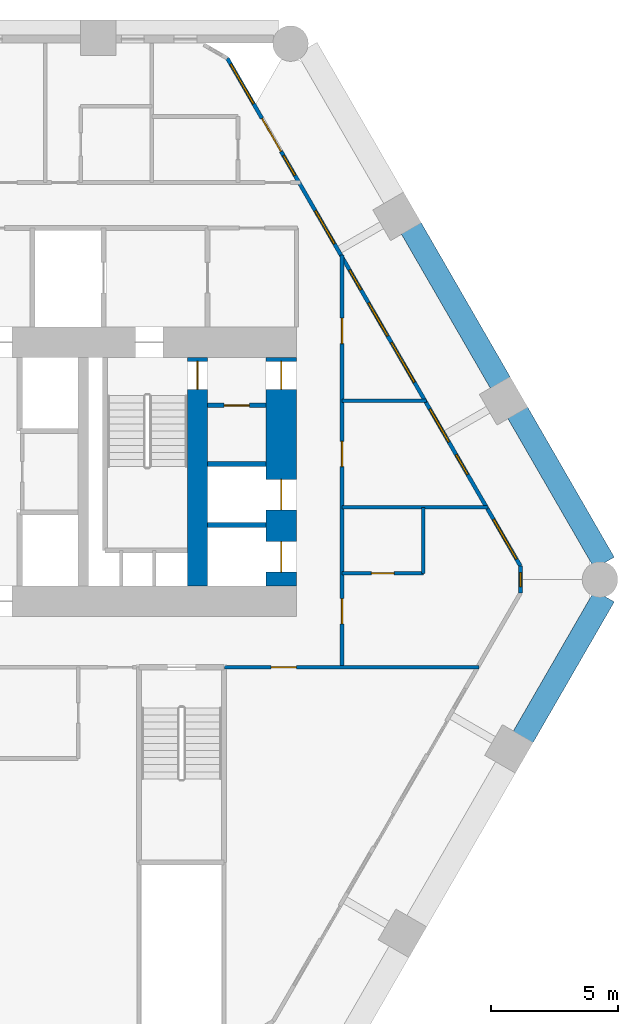
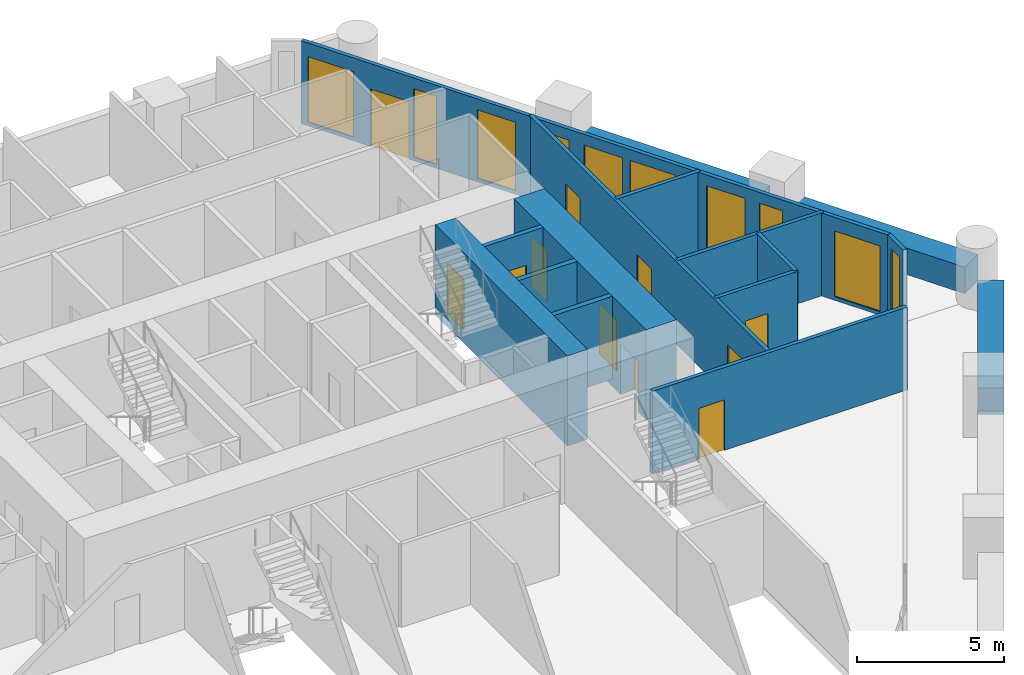
# One storey, part 5 of 8: 16 walls, 11 doors, 10 windows, 21 openings.
"""IFC4 building model written with IfcOpenShell, lengths in metres."""

from ifc_helpers import new_model, si_unit, direction, frame, frame_2d, origin, place, context, subcontext, project, spatial, rectangle, extrude, material, layer, layer_set, type_object, element, fill, save


model = new_model("IFC4")

# Units and contexts
model_context = context("Model", 3, precision=1e-05, world=origin(), true_north=direction((0.0, 1.0)))
body_context = subcontext(model_context, "Body", "Model", "MODEL_VIEW")
ifc_project = project(units=[si_unit("LENGTHUNIT", "METRE"), si_unit("AREAUNIT", "SQUARE_METRE"), si_unit("VOLUMEUNIT", "CUBIC_METRE"), si_unit("PLANEANGLEUNIT", "RADIAN"), si_unit("MASSUNIT", "GRAM", prefix="KILO")], contexts=[model_context])

# Site, building, storey
site_placement = place(None, origin())
site = spatial("IfcSite", under=ifc_project, at=site_placement, CompositionType="ELEMENT")
building_placement = place(site_placement, origin())
building = spatial("IfcBuilding", under=site, at=building_placement, Name="Ostrander Bayou Hotel Tower", CompositionType="ELEMENT")
storey_placement = place(building_placement, frame((0.0, 0.0, 39.25)))
storey = spatial("IfcBuildingStorey", under=building, at=storey_placement, Name="L09", CompositionType="ELEMENT", Elevation=39.25)

# Wall, openings, doors
ifc_material_1 = material(Name="Concrete f'c 70 MPa", Category="concrete")
ifc_layer_1 = layer(ifc_material_1, 1.199951171875)
ifc_layer_set_1 = layer_set([ifc_layer_1], Name="CW1 core wall 1200 mm f'c 70 MPa")
wall_type_1 = type_object("IfcWallType", Name="CW1 core wall 1200 mm f'c 70 MPa", PredefinedType="SHEAR", material=ifc_layer_set_1)
wall_1_placement = place(storey_placement, frame((11.39990234375, -0.5, -0.300048828125), z_axis=(0.0, 0.0, 1.0), x_axis=(0.0, 1.0, 0.0)))
wall_1 = element("IfcWall", 1, at=wall_1_placement, inside=storey, type_object=wall_type_1, Name="CW1 L09 RE", PredefinedType="SHEAR", context=body_context, shape_type="SweptSolid", body=[
    extrude(rectangle(XDim=9.0, YDim=1.199951171875, at=frame_2d((4.5, 0.0))), origin(), (0.0, 0.0, 1.0), 3.75),
])
opening_1_placement = place(wall_1_placement, frame((7.75, 0.0, 0.0)))
opening_1 = element("IfcOpeningElement", 2, at=opening_1_placement, cuts=wall_1, Name="Opening T09-021", PredefinedType="OPENING", context=body_context, shape_type="SweptSolid", body=[
    extrude(rectangle(XDim=1.10009765625, YDim=2.10009765625, at=frame_2d((0.550048828125, 1.050048828125))), frame((0.0, 0.60009765625, 0.0), z_axis=(0.0, -1.0, 0.0), x_axis=(1.0, 0.0, 0.0)), (0.0, 0.0, 1.0), 1.199951171875),
])
opening_2_placement = place(wall_1_placement, frame((0.550048828125, 0.0, 0.0)))
opening_2 = element("IfcOpeningElement", 3, at=opening_2_placement, cuts=wall_1, Name="Opening T09-022", PredefinedType="OPENING", context=body_context, shape_type="SweptSolid", body=[
    extrude(rectangle(XDim=1.199951171875, YDim=2.10009765625, at=frame_2d((0.60009765625, 1.050048828125))), frame((0.0, 0.60009765625, 0.0), z_axis=(0.0, -1.0, 0.0), x_axis=(1.0, 0.0, 0.0)), (0.0, 0.0, 1.0), 1.199951171875),
])
opening_3_placement = place(wall_1_placement, frame((3.0, 0.0, 0.0)))
opening_3 = element("IfcOpeningElement", 4, at=opening_3_placement, cuts=wall_1, Name="Opening T09-023", PredefinedType="OPENING", context=body_context, shape_type="SweptSolid", body=[
    extrude(rectangle(XDim=1.199951171875, YDim=2.10009765625, at=frame_2d((0.60009765625, 1.050048828125))), frame((0.0, 0.60009765625, 0.0), z_axis=(0.0, -1.0, 0.0), x_axis=(1.0, 0.0, 0.0)), (0.0, 0.0, 1.0), 1.199951171875),
])
ifc_material_2 = material(Name="Timber door leaf", Category="wood")
door_type_1 = type_object("IfcDoorType", Name="D5 stair door 1100 x 2100 mm, 90 minute", OperationType="SINGLE_SWING_LEFT", PredefinedType="DOOR", material=ifc_material_2)
door_1_placement = place(opening_1_placement, origin())
door_1 = element("IfcDoor", 5, at=door_1_placement, inside=storey, type_object=door_type_1, Name="dr:L09:021", OperationType="SINGLE_SWING_RIGHT", OverallHeight=2.10009765625, OverallWidth=1.10009765625, PredefinedType="DOOR", context=body_context, shape_type="SweptSolid", body=[
    extrude(rectangle(XDim=1.10009765625, YDim=2.10009765625, at=frame_2d((0.550048828125, 1.050048828125))), frame((0.0, 0.02490234375, 0.0), z_axis=(0.0, -1.0, 0.0), x_axis=(1.0, 0.0, 0.0)), (0.0, 0.0, 1.0), 0.050048828125),
])
fill(opening_1, door_1)
ifc_material_3 = material(Name="Stainless steel sliding door", Category="steel")
door_type_2 = type_object("IfcDoorType", Name="LD1 lift landing door 1200 x 2100 mm", OperationType="SINGLE_SWING_LEFT", PredefinedType="DOOR", material=ifc_material_3)
door_2_placement = place(opening_2_placement, origin())
door_2 = element("IfcDoor", 6, at=door_2_placement, inside=storey, type_object=door_type_2, Name="dr:L09:022", OperationType="SLIDING_TO_LEFT", OverallHeight=2.10009765625, OverallWidth=1.199951171875, PredefinedType="DOOR", context=body_context, shape_type="SweptSolid", body=[
    extrude(rectangle(XDim=1.199951171875, YDim=2.10009765625, at=frame_2d((0.60009765625, 1.050048828125))), frame((0.0, 0.02490234375, 0.0), z_axis=(0.0, -1.0, 0.0), x_axis=(1.0, 0.0, 0.0)), (0.0, 0.0, 1.0), 0.050048828125),
])
fill(opening_2, door_2)
door_3_placement = place(opening_3_placement, origin())
door_3 = element("IfcDoor", 7, at=door_3_placement, inside=storey, type_object=door_type_2, Name="dr:L09:023", OperationType="SLIDING_TO_LEFT", OverallHeight=2.10009765625, OverallWidth=1.199951171875, PredefinedType="DOOR", context=body_context, shape_type="SweptSolid", body=[
    extrude(rectangle(XDim=1.199951171875, YDim=2.10009765625, at=frame_2d((0.60009765625, 1.050048828125))), frame((0.0, 0.02490234375, 0.0), z_axis=(0.0, -1.0, 0.0), x_axis=(1.0, 0.0, 0.0)), (0.0, 0.0, 1.0), 0.050048828125),
])
fill(opening_3, door_3)

# Wall, opening, door
ifc_material_4 = material(Name="Concrete f'c 70 MPa", Category="concrete")
ifc_layer_2 = layer(ifc_material_4, 0.800048828125)
ifc_layer_set_2 = layer_set([ifc_layer_2], Name="CW2 core spine wall 800 mm f'c 70 MPa")
wall_type_2 = type_object("IfcWallType", Name="CW2 core spine wall 800 mm f'c 70 MPa", PredefinedType="SHEAR", material=ifc_layer_set_2)
wall_2_placement = place(storey_placement, frame((8.10009765625, -0.5, -0.300048828125), z_axis=(0.0, 0.0, 1.0), x_axis=(0.0, 1.0, 0.0)))
wall_2 = element("IfcWall", 8, at=wall_2_placement, inside=storey, type_object=wall_type_2, Name="CW2 L09 E", PredefinedType="SHEAR", context=body_context, shape_type="SweptSolid", body=[
    extrude(rectangle(XDim=9.0, YDim=0.800048828125, at=frame_2d((4.5, 0.0))), origin(), (0.0, 0.0, 1.0), 3.75),
])
opening_4_placement = place(wall_2_placement, frame((7.75, 0.0, 0.0)))
opening_4 = element("IfcOpeningElement", 9, at=opening_4_placement, cuts=wall_2, Name="Opening T09-006", PredefinedType="OPENING", context=body_context, shape_type="SweptSolid", body=[
    extrude(rectangle(XDim=1.10009765625, YDim=2.10009765625, at=frame_2d((0.550048828125, 1.050048828125))), frame((0.0, 0.39990234375, 0.0), z_axis=(0.0, -1.0, 0.0), x_axis=(1.0, 0.0, 0.0)), (0.0, 0.0, 1.0), 0.800048828125),
])
door_4_placement = place(opening_4_placement, origin())
door_4 = element("IfcDoor", 10, at=door_4_placement, inside=storey, type_object=door_type_1, Name="dr:L09:006", OperationType="SINGLE_SWING_LEFT", OverallHeight=2.10009765625, OverallWidth=1.10009765625, PredefinedType="DOOR", context=body_context, shape_type="SweptSolid", body=[
    extrude(rectangle(XDim=1.10009765625, YDim=2.10009765625, at=frame_2d((0.550048828125, 1.050048828125))), frame((0.0, 0.02490234375, 0.0), z_axis=(0.0, -1.0, 0.0), x_axis=(1.0, 0.0, 0.0)), (0.0, 0.0, 1.0), 0.050048828125),
])
fill(opening_4, door_4)

# Wall, openings, door, windows
ifc_material_5 = material(Name="Aluminium framed insulated wall", Category="aluminium")
ifc_layer_3 = layer(ifc_material_5, 0.14990234375)
ifc_layer_set_3 = layer_set([ifc_layer_3], Name="GW1 glass-line wall 150 mm")
wall_type_3 = type_object("IfcWallType", Name="GW1 glass-line wall 150 mm", PredefinedType="SOLIDWALL", material=ifc_layer_set_3)
wall_3_placement = place(storey_placement, frame((20.826171875, 0.287109375, 0.0), z_axis=(0.0, 0.0, 1.0), x_axis=(-0.500006057782, 0.866021906294, 0.0)))
wall_3 = element("IfcWall", 11, at=wall_3_placement, inside=storey, type_object=wall_type_3, Name="GW1 L09 NE 1", PredefinedType="SOLIDWALL", context=body_context, shape_type="SweptSolid", body=[
    extrude(rectangle(XDim=23.100341796875, YDim=0.14990234375, at=frame_2d((11.55029296875, 0.0))), origin(), (0.0, 0.0, 1.0), 3.449951171875),
])
opening_5_placement = place(wall_3_placement, frame((4.16455078125, 0.0, 0.14990234375)))
opening_5 = element("IfcOpeningElement", 12, at=opening_5_placement, cuts=wall_3, Name="Opening W15", PredefinedType="OPENING", context=body_context, shape_type="SweptSolid", body=[
    extrude(rectangle(XDim=0.89990234375, YDim=2.85009765625, at=frame_2d((0.449951171875, 1.425048828125))), frame((0.0, 0.074951171875, 0.0), z_axis=(0.0, -1.0, 0.0), x_axis=(1.0, 0.0, 0.0)), (0.0, 0.0, 1.0), 0.14990234375),
])
opening_6_placement = place(wall_3_placement, frame((5.64453125, 0.0, 0.14990234375)))
opening_6 = element("IfcOpeningElement", 13, at=opening_6_placement, cuts=wall_3, Name="Opening W11", PredefinedType="OPENING", context=body_context, shape_type="SweptSolid", body=[
    extrude(rectangle(XDim=1.5, YDim=2.85009765625, at=frame_2d((0.75, 1.425048828125))), frame((0.0, 0.074951171875, 0.0), z_axis=(0.0, -1.0, 0.0), x_axis=(1.0, 0.0, 0.0)), (0.0, 0.0, 1.0), 0.14990234375),
])
opening_7_placement = place(wall_3_placement, frame((8.364501953125, 0.0, 0.14990234375)))
opening_7 = element("IfcOpeningElement", 14, at=opening_7_placement, cuts=wall_3, Name="Opening W1", PredefinedType="OPENING", context=body_context, shape_type="SweptSolid", body=[
    extrude(rectangle(XDim=1.800048828125, YDim=2.85009765625, at=frame_2d((0.89990234375, 1.425048828125))), frame((0.0, 0.074951171875, 0.0), z_axis=(0.0, -1.0, 0.0), x_axis=(1.0, 0.0, 0.0)), (0.0, 0.0, 1.0), 0.14990234375),
])
opening_8_placement = place(wall_3_placement, frame((10.464599609375, 0.0, 0.14990234375)))
opening_8 = element("IfcOpeningElement", 15, at=opening_8_placement, cuts=wall_3, Name="Opening W11", PredefinedType="OPENING", context=body_context, shape_type="SweptSolid", body=[
    extrude(rectangle(XDim=1.5, YDim=2.85009765625, at=frame_2d((0.75, 1.425048828125))), frame((0.0, 0.074951171875, 0.0), z_axis=(0.0, -1.0, 0.0), x_axis=(1.0, 0.0, 0.0)), (0.0, 0.0, 1.0), 0.14990234375),
])
opening_9_placement = place(wall_3_placement, frame((12.564453125, 0.0, 0.14990234375)))
opening_9 = element("IfcOpeningElement", 16, at=opening_9_placement, cuts=wall_3, Name="Opening W15", PredefinedType="OPENING", context=body_context, shape_type="SweptSolid", body=[
    extrude(rectangle(XDim=0.89990234375, YDim=2.85009765625, at=frame_2d((0.449951171875, 1.425048828125))), frame((0.0, 0.074951171875, 0.0), z_axis=(0.0, -1.0, 0.0), x_axis=(1.0, 0.0, 0.0)), (0.0, 0.0, 1.0), 0.14990234375),
])
opening_10_placement = place(wall_3_placement, frame((14.66455078125, 0.0, 0.14990234375)))
opening_10 = element("IfcOpeningElement", 17, at=opening_10_placement, cuts=wall_3, Name="Opening W11", PredefinedType="OPENING", context=body_context, shape_type="SweptSolid", body=[
    extrude(rectangle(XDim=1.5, YDim=2.85009765625, at=frame_2d((0.75, 1.425048828125))), frame((0.0, 0.074951171875, 0.0), z_axis=(0.0, -1.0, 0.0), x_axis=(1.0, 0.0, 0.0)), (0.0, 0.0, 1.0), 0.14990234375),
])
opening_11_placement = place(wall_3_placement, frame((17.77490234375, 0.0, 0.14990234375)))
opening_11 = element("IfcOpeningElement", 18, at=opening_11_placement, cuts=wall_3, Name="Opening W15", PredefinedType="OPENING", context=body_context, shape_type="SweptSolid", body=[
    extrude(rectangle(XDim=0.89990234375, YDim=2.85009765625, at=frame_2d((0.449951171875, 1.425048828125))), frame((0.0, 0.074951171875, 0.0), z_axis=(0.0, -1.0, 0.0), x_axis=(1.0, 0.0, 0.0)), (0.0, 0.0, 1.0), 0.14990234375),
])
opening_12_placement = place(wall_3_placement, frame((18.864501953125, 0.0, 0.0)))
opening_12 = element("IfcOpeningElement", 19, at=opening_12_placement, cuts=wall_3, Name="Opening T09-808", PredefinedType="OPENING", context=body_context, shape_type="SweptSolid", body=[
    extrude(rectangle(XDim=1.5, YDim=2.39990234375, at=frame_2d((0.75, 1.199951171875))), frame((0.0, 0.074951171875, 0.0), z_axis=(0.0, -1.0, 0.0), x_axis=(1.0, 0.0, 0.0)), (0.0, 0.0, 1.0), 0.14990234375),
])
opening_13_placement = place(wall_3_placement, frame((0.322265625, 0.0, 0.14990234375)))
opening_13 = element("IfcOpeningElement", 20, at=opening_13_placement, cuts=wall_3, Name="Opening W1", PredefinedType="OPENING", context=body_context, shape_type="SweptSolid", body=[
    extrude(rectangle(XDim=1.800048828125, YDim=2.72998046875, at=frame_2d((0.89990234375, 1.364990234375))), frame((0.0, 0.074951171875, 0.0), z_axis=(0.0, -1.0, 0.0), x_axis=(1.0, 0.0, 0.0)), (0.0, 0.0, 1.0), 0.14990234375),
])
opening_14_placement = place(wall_3_placement, frame((21.032470703125, 0.0, 0.14990234375)))
opening_14 = element("IfcOpeningElement", 21, at=opening_14_placement, cuts=wall_3, Name="Opening W1", PredefinedType="OPENING", context=body_context, shape_type="SweptSolid", body=[
    extrude(rectangle(XDim=1.800048828125, YDim=2.72998046875, at=frame_2d((0.89990234375, 1.364990234375))), frame((0.0, 0.074951171875, 0.0), z_axis=(0.0, -1.0, 0.0), x_axis=(1.0, 0.0, 0.0)), (0.0, 0.0, 1.0), 0.14990234375),
])
ifc_material_6 = material(Name="Aluminium and clear glass", Category="aluminium")
door_type_3 = type_object("IfcDoorType", Name="SD1 sliding glass door 1500 mm, zone 1", OperationType="SLIDING_TO_LEFT", PredefinedType="DOOR", material=ifc_material_6)
door_5_placement = place(opening_12_placement, origin())
door_5 = element("IfcDoor", 22, at=door_5_placement, inside=storey, type_object=door_type_3, Name="SD1 L09 NE 5", OperationType="SLIDING_TO_LEFT", OverallHeight=2.39990234375, OverallWidth=1.5, PredefinedType="DOOR", context=body_context, shape_type="SweptSolid", body=[
    extrude(rectangle(XDim=1.5, YDim=2.39990234375, at=frame_2d((0.75, 1.199951171875))), frame((0.0, 0.02490234375, 0.0), z_axis=(0.0, -1.0, 0.0), x_axis=(1.0, 0.0, 0.0)), (0.0, 0.0, 1.0), 0.050048828125),
])
fill(opening_12, door_5)
ifc_material_7 = material(Name="Aluminium and clear glass", Category="aluminium")
window_type_1 = type_object("IfcWindowType", Name="W1 fixed window 1800 mm, zone 1", PartitioningType="SINGLE_PANEL", PredefinedType="WINDOW", material=ifc_material_7)
window_1_placement = place(opening_7_placement, origin())
window_1 = element("IfcWindow", 23, at=window_1_placement, inside=storey, type_object=window_type_1, Name="W1 L09 NE 3", OverallHeight=2.85009765625, OverallWidth=1.800048828125, PartitioningType="SINGLE_PANEL", PredefinedType="WINDOW", context=body_context, shape_type="SweptSolid", body=[
    extrude(rectangle(XDim=1.800048828125, YDim=2.85009765625, at=frame_2d((0.89990234375, 1.425048828125))), frame((0.0, 0.030029296875, 0.0), z_axis=(0.0, -1.0, 0.0), x_axis=(1.0, 0.0, 0.0)), (0.0, 0.0, 1.0), 0.06005859375),
])
fill(opening_7, window_1)
window_2_placement = place(opening_13_placement, origin())
window_2 = element("IfcWindow", 24, at=window_2_placement, inside=storey, type_object=window_type_1, Name="W1 L09 NE E11", OverallHeight=2.72998046875, OverallWidth=1.800048828125, PartitioningType="SINGLE_PANEL", PredefinedType="WINDOW", context=body_context, shape_type="SweptSolid", body=[
    extrude(rectangle(XDim=1.800048828125, YDim=2.72998046875, at=frame_2d((0.89990234375, 1.364990234375))), frame((0.0, 0.030029296875, 0.0), z_axis=(0.0, -1.0, 0.0), x_axis=(1.0, 0.0, 0.0)), (0.0, 0.0, 1.0), 0.06005859375),
])
fill(opening_13, window_2)
window_3_placement = place(opening_14_placement, origin())
window_3 = element("IfcWindow", 25, at=window_3_placement, inside=storey, type_object=window_type_1, Name="W1 L09 NE E21", OverallHeight=2.72998046875, OverallWidth=1.800048828125, PartitioningType="SINGLE_PANEL", PredefinedType="WINDOW", context=body_context, shape_type="SweptSolid", body=[
    extrude(rectangle(XDim=1.800048828125, YDim=2.72998046875, at=frame_2d((0.89990234375, 1.364990234375))), frame((0.0, 0.030029296875, 0.0), z_axis=(0.0, -1.0, 0.0), x_axis=(1.0, 0.0, 0.0)), (0.0, 0.0, 1.0), 0.06005859375),
])
fill(opening_14, window_3)
ifc_material_8 = material(Name="Aluminium and clear glass", Category="aluminium")
window_type_2 = type_object("IfcWindowType", Name="W11 fixed window 1500 mm, bath bay, zone 1", PartitioningType="SINGLE_PANEL", PredefinedType="WINDOW", material=ifc_material_8)
window_4_placement = place(opening_6_placement, origin())
window_4 = element("IfcWindow", 26, at=window_4_placement, inside=storey, type_object=window_type_2, Name="W11 L09 NE 2", OverallHeight=2.85009765625, OverallWidth=1.5, PartitioningType="SINGLE_PANEL", PredefinedType="WINDOW", context=body_context, shape_type="SweptSolid", body=[
    extrude(rectangle(XDim=1.5, YDim=2.85009765625, at=frame_2d((0.75, 1.425048828125))), frame((0.0, 0.030029296875, 0.0), z_axis=(0.0, -1.0, 0.0), x_axis=(1.0, 0.0, 0.0)), (0.0, 0.0, 1.0), 0.06005859375),
])
fill(opening_6, window_4)
window_5_placement = place(opening_8_placement, origin())
window_5 = element("IfcWindow", 27, at=window_5_placement, inside=storey, type_object=window_type_2, Name="W11 L09 NE 3", OverallHeight=2.85009765625, OverallWidth=1.5, PartitioningType="SINGLE_PANEL", PredefinedType="WINDOW", context=body_context, shape_type="SweptSolid", body=[
    extrude(rectangle(XDim=1.5, YDim=2.85009765625, at=frame_2d((0.75, 1.425048828125))), frame((0.0, 0.030029296875, 0.0), z_axis=(0.0, -1.0, 0.0), x_axis=(1.0, 0.0, 0.0)), (0.0, 0.0, 1.0), 0.06005859375),
])
fill(opening_8, window_5)
window_6_placement = place(opening_10_placement, origin())
window_6 = element("IfcWindow", 28, at=window_6_placement, inside=storey, type_object=window_type_2, Name="W11 L09 NE 4", OverallHeight=2.85009765625, OverallWidth=1.5, PartitioningType="SINGLE_PANEL", PredefinedType="WINDOW", context=body_context, shape_type="SweptSolid", body=[
    extrude(rectangle(XDim=1.5, YDim=2.85009765625, at=frame_2d((0.75, 1.425048828125))), frame((0.0, 0.030029296875, 0.0), z_axis=(0.0, -1.0, 0.0), x_axis=(1.0, 0.0, 0.0)), (0.0, 0.0, 1.0), 0.06005859375),
])
fill(opening_10, window_6)
ifc_material_9 = material(Name="Aluminium and clear glass", Category="aluminium")
window_type_3 = type_object("IfcWindowType", Name="W15 window 900 mm, zone 1", PartitioningType="SINGLE_PANEL", PredefinedType="WINDOW", material=ifc_material_9)
window_7_placement = place(opening_5_placement, origin())
window_7 = element("IfcWindow", 29, at=window_7_placement, inside=storey, type_object=window_type_3, Name="W15 L09 NE 2", OverallHeight=2.85009765625, OverallWidth=0.89990234375, PartitioningType="SINGLE_PANEL", PredefinedType="WINDOW", context=body_context, shape_type="SweptSolid", body=[
    extrude(rectangle(XDim=0.89990234375, YDim=2.85009765625, at=frame_2d((0.449951171875, 1.425048828125))), frame((0.0, 0.030029296875, 0.0), z_axis=(0.0, -1.0, 0.0), x_axis=(1.0, 0.0, 0.0)), (0.0, 0.0, 1.0), 0.06005859375),
])
fill(opening_5, window_7)
window_8_placement = place(opening_9_placement, origin())
window_8 = element("IfcWindow", 30, at=window_8_placement, inside=storey, type_object=window_type_3, Name="W15 L09 NE 4", OverallHeight=2.85009765625, OverallWidth=0.89990234375, PartitioningType="SINGLE_PANEL", PredefinedType="WINDOW", context=body_context, shape_type="SweptSolid", body=[
    extrude(rectangle(XDim=0.89990234375, YDim=2.85009765625, at=frame_2d((0.449951171875, 1.425048828125))), frame((0.0, 0.030029296875, 0.0), z_axis=(0.0, -1.0, 0.0), x_axis=(1.0, 0.0, 0.0)), (0.0, 0.0, 1.0), 0.06005859375),
])
fill(opening_9, window_8)
window_9_placement = place(opening_11_placement, origin())
window_9 = element("IfcWindow", 31, at=window_9_placement, inside=storey, type_object=window_type_3, Name="W15 L09 NE 5", OverallHeight=2.85009765625, OverallWidth=0.89990234375, PartitioningType="SINGLE_PANEL", PredefinedType="WINDOW", context=body_context, shape_type="SweptSolid", body=[
    extrude(rectangle(XDim=0.89990234375, YDim=2.85009765625, at=frame_2d((0.449951171875, 1.425048828125))), frame((0.0, 0.030029296875, 0.0), z_axis=(0.0, -1.0, 0.0), x_axis=(1.0, 0.0, 0.0)), (0.0, 0.0, 1.0), 0.06005859375),
])
fill(opening_11, window_9)

# Wall, opening, window
wall_4_placement = place(storey_placement, frame((20.826171875, -0.778076171875, 0.0), z_axis=(0.0, 0.0, 1.0), x_axis=(0.0, 1.0, 0.0)))
wall_4 = element("IfcWall", 32, at=wall_4_placement, inside=storey, type_object=wall_type_3, Name="GW1 L09 corner 5", PredefinedType="SOLIDWALL", context=body_context, shape_type="SweptSolid", body=[
    extrude(rectangle(XDim=1.065185546875, YDim=0.14990234375, at=frame_2d((0.53271484375, 0.0))), origin(), (0.0, 0.0, 1.0), 3.449951171875),
])
opening_15_placement = place(wall_4_placement, frame((0.257568359375, 0.0, 0.14990234375)))
opening_15 = element("IfcOpeningElement", 33, at=opening_15_placement, cuts=wall_4, Name="Opening W19", PredefinedType="OPENING", context=body_context, shape_type="SweptSolid", body=[
    extrude(rectangle(XDim=0.550048828125, YDim=2.85009765625, at=frame_2d((0.27490234375, 1.425048828125))), frame((0.0, 0.074951171875, 0.0), z_axis=(0.0, -1.0, 0.0), x_axis=(1.0, 0.0, 0.0)), (0.0, 0.0, 1.0), 0.14990234375),
])
ifc_material_10 = material(Name="Aluminium and clear glass", Category="aluminium")
window_type_4 = type_object("IfcWindowType", Name="W19 corner window 550 mm", PartitioningType="SINGLE_PANEL", PredefinedType="WINDOW", material=ifc_material_10)
window_10_placement = place(opening_15_placement, origin())
window_10 = element("IfcWindow", 34, at=window_10_placement, inside=storey, type_object=window_type_4, Name="W19 L09 corner 5", OverallHeight=2.85009765625, OverallWidth=0.550048828125, PartitioningType="SINGLE_PANEL", PredefinedType="WINDOW", context=body_context, shape_type="SweptSolid", body=[
    extrude(rectangle(XDim=0.550048828125, YDim=2.85009765625, at=frame_2d((0.27490234375, 1.425048828125))), frame((0.0, 0.030029296875, 0.0), z_axis=(0.0, -1.0, 0.0), x_axis=(1.0, 0.0, 0.0)), (0.0, 0.0, 1.0), 0.06005859375),
])
fill(opening_15, window_10)

# Walls
ifc_material_11 = material(Name="Concrete f'c 40 MPa", Category="concrete")
ifc_layer_4 = layer(ifc_material_11, 0.89990234375)
ifc_layer_set_4 = layer_set([ifc_layer_4], Name="PA1 stone-faced parapet 900 mm")
wall_type_4 = type_object("IfcWallType", Name="PA1 stone-faced parapet 900 mm", PredefinedType="PARAPET", material=ifc_layer_set_4)
wall_5_placement = place(storey_placement, frame((24.13232421875, 0.410400390625, 0.0), z_axis=(0.0, 0.0, 1.0), x_axis=(-0.499994135611, 0.866028789565, 0.0)))
element("IfcWall", 35, at=wall_5_placement, inside=storey, type_object=wall_type_4, Name="PA1 L09 NE-1", PredefinedType="PARAPET", context=body_context, shape_type="SweptSolid", body=[
    extrude(rectangle(XDim=6.84521484375, YDim=0.89990234375, at=frame_2d((3.422607421875, 0.0))), origin(), (0.0, 0.0, 1.0), 1.10009765625),
])
wall_6_placement = place(storey_placement, frame((20.039794921875, 7.499267578125, 0.0), z_axis=(0.0, 0.0, 1.0), x_axis=(-0.499997206141, 0.866027016814, 0.0)))
element("IfcWall", 36, at=wall_6_placement, inside=storey, type_object=wall_type_4, Name="PA1 L09 NE-2", PredefinedType="PARAPET", context=body_context, shape_type="SweptSolid", body=[
    extrude(rectangle(XDim=7.05078125, YDim=0.89990234375, at=frame_2d((3.525390625, 0.0))), origin(), (0.0, 0.0, 1.0), 1.10009765625),
])
ifc_material_12 = material(Name="Limestone masonry", Category="masonry")
ifc_layer_5 = layer(ifc_material_12, 0.89990234375)
ifc_layer_set_5 = layer_set([ifc_layer_5], Name="PA2 limestone parapet 900 mm")
wall_type_5 = type_object("IfcWallType", Name="PA2 limestone parapet 900 mm", PredefinedType="PARAPET", material=ifc_layer_set_5)
wall_7_placement = place(storey_placement, frame((20.92236328125, -6.46142578125, 0.0), z_axis=(0.0, 0.0, 1.0), x_axis=(0.499983599745, 0.866034872269, 0.0)))
element("IfcWall", 37, at=wall_7_placement, inside=storey, type_object=wall_type_5, Name="PA2 L09 SE-3", PredefinedType="PARAPET", context=body_context, shape_type="SweptSolid", body=[
    extrude(rectangle(XDim=6.420166015625, YDim=0.89990234375, at=frame_2d((3.2099609375, 0.0))), origin(), (0.0, 0.0, 1.0), 1.10009765625),
])

# Wall, opening, door
ifc_material_13 = material(Name="Gypsum board partition", Category="finish")
ifc_layer_6 = layer(ifc_material_13, 0.175048828125)
ifc_layer_set_6 = layer_set([ifc_layer_6], Name="PT4 corridor wall 175 mm, 1 hour")
wall_type_6 = type_object("IfcWallType", Name="PT4 corridor wall 175 mm, 1 hour", PredefinedType="PARTITIONING", material=ifc_layer_set_6)
wall_8_placement = place(storey_placement, frame((8.5, 6.614013671875, 0.0), z_axis=(0.0, 0.0, 1.0), x_axis=(1.0, 0.0, 0.0)))
wall_8 = element("IfcWall", 38, at=wall_8_placement, inside=storey, type_object=wall_type_6, Name="cs:L09:041", PredefinedType="PARTITIONING", context=body_context, shape_type="SweptSolid", body=[
    extrude(rectangle(XDim=2.300048828125, YDim=0.175048828125, at=frame_2d((1.14990234375, 0.0))), origin(), (0.0, 0.0, 1.0), 3.449951171875),
])
opening_16_placement = place(wall_8_placement, frame((0.64990234375, 0.0, 0.0)))
opening_16 = element("IfcOpeningElement", 39, at=opening_16_placement, cuts=wall_8, Name="Opening T09-020", PredefinedType="OPENING", context=body_context, shape_type="SweptSolid", body=[
    extrude(rectangle(XDim=1.0, YDim=2.10009765625, at=frame_2d((0.5, 1.050048828125))), frame((0.0, 0.08740234375, 0.0), z_axis=(0.0, -1.0, 0.0), x_axis=(1.0, 0.0, 0.0)), (0.0, 0.0, 1.0), 0.175048828125),
])
ifc_material_14 = material(Name="Timber door leaf", Category="wood")
door_type_4 = type_object("IfcDoorType", Name="D4 corridor door 1000 x 2100 mm, 1 hour", OperationType="SINGLE_SWING_LEFT", PredefinedType="DOOR", material=ifc_material_14)
door_6_placement = place(opening_16_placement, origin())
door_6 = element("IfcDoor", 40, at=door_6_placement, inside=storey, type_object=door_type_4, Name="dr:L09:020", OperationType="SINGLE_SWING_RIGHT", OverallHeight=2.10009765625, OverallWidth=1.0, PredefinedType="DOOR", context=body_context, shape_type="SweptSolid", body=[
    extrude(rectangle(XDim=1.0, YDim=2.10009765625, at=frame_2d((0.5, 1.050048828125))), frame((0.0, 0.02490234375, 0.0), z_axis=(0.0, -1.0, 0.0), x_axis=(1.0, 0.0, 0.0)), (0.0, 0.0, 1.0), 0.050048828125),
])
fill(opening_16, door_6)

# Walls
ifc_material_15 = material(Name="Masonry block", Category="masonry")
ifc_layer_7 = layer(ifc_material_15, 0.199951171875)
ifc_layer_set_7 = layer_set([ifc_layer_7], Name="PT6 lift shaft wall 200 mm masonry, 2 hour")
wall_type_7 = type_object("IfcWallType", Name="PT6 lift shaft wall 200 mm masonry, 2 hour", PredefinedType="PARTITIONING", material=ifc_layer_set_7)
for number, where, z_axis, x_axis, name in (
    (41, (8.5, 1.89990234375, 0.0), (0.0, 0.0, 1.0), (1.0, 0.0, 0.0), "cs:L09:039"),
    (42, (8.5, 4.300048828125, 0.0), (0.0, 0.0, 1.0), (1.0, 0.0, 0.0), "cs:L09:040"),
):
    element("IfcWall", number, at=place(storey_placement, frame(where, z_axis=z_axis, x_axis=x_axis)), inside=storey, type_object=wall_type_7, Name=name, PredefinedType="PARTITIONING", context=body_context, shape_type="SweptSolid", body=[
        extrude(rectangle(XDim=2.300048828125, YDim=0.199951171875, at=frame_2d((1.14990234375, 0.0))), origin(), (0.0, 0.0, 1.0), 3.449951171875),
    ])

# Wall, opening, door
ifc_material_16 = material(Name="Gypsum board partition", Category="finish")
ifc_layer_8 = layer(ifc_material_16, 0.14990234375)
ifc_layer_set_8 = layer_set([ifc_layer_8], Name="PT8 service band wall 150 mm, 1 hour")
wall_type_8 = type_object("IfcWallType", Name="PT8 service band wall 150 mm, 1 hour", PredefinedType="PARTITIONING", material=ifc_layer_set_8)
wall_9_placement = place(storey_placement, frame((9.159912109375, -3.699951171875, 0.0), z_axis=(0.0, 0.0, 1.0), x_axis=(1.0, 0.0, 0.0)))
wall_9 = element("IfcWall", 43, at=wall_9_placement, inside=storey, type_object=wall_type_8, Name="gw:L09:004", PredefinedType="PARTITIONING", context=body_context, shape_type="SweptSolid", body=[
    extrude(rectangle(XDim=10.031005859375, YDim=0.14990234375, at=frame_2d((5.015625, 0.0))), origin(), (0.0, 0.0, 1.0), 3.449951171875),
])
opening_17_placement = place(wall_9_placement, frame((1.840087890625, 0.0, 0.0)))
opening_17 = element("IfcOpeningElement", 44, at=opening_17_placement, cuts=wall_9, Name="Opening T09-406", PredefinedType="OPENING", context=body_context, shape_type="SweptSolid", body=[
    extrude(rectangle(XDim=1.0, YDim=2.10009765625, at=frame_2d((0.5, 1.050048828125))), frame((0.0, 0.074951171875, 0.0), z_axis=(0.0, -1.0, 0.0), x_axis=(1.0, 0.0, 0.0)), (0.0, 0.0, 1.0), 0.14990234375),
])
ifc_material_17 = material(Name="Timber door leaf", Category="wood")
door_type_5 = type_object("IfcDoorType", Name="D15 room door 1000 x 2100 mm", OperationType="SINGLE_SWING_LEFT", PredefinedType="DOOR", material=ifc_material_17)
door_7_placement = place(opening_17_placement, origin())
door_7 = element("IfcDoor", 45, at=door_7_placement, inside=storey, type_object=door_type_5, Name="dr:L09:406", OperationType="SINGLE_SWING_LEFT", OverallHeight=2.10009765625, OverallWidth=1.0, PredefinedType="DOOR", context=body_context, shape_type="SweptSolid", body=[
    extrude(rectangle(XDim=1.0, YDim=2.10009765625, at=frame_2d((0.5, 1.050048828125))), frame((0.0, 0.02490234375, 0.0), z_axis=(0.0, -1.0, 0.0), x_axis=(1.0, 0.0, 0.0)), (0.0, 0.0, 1.0), 0.050048828125),
])
fill(opening_17, door_7)

wall_10_placement = place(storey_placement, frame((13.800048828125, 0.0, 0.0), z_axis=(0.0, 0.0, 1.0), x_axis=(1.0, 0.0, 0.0)))
wall_10 = element("IfcWall", 46, at=wall_10_placement, inside=storey, type_object=wall_type_8, Name="gw:L09:007", PredefinedType="PARTITIONING", context=body_context, shape_type="SweptSolid", body=[
    extrude(rectangle(XDim=3.199951171875, YDim=0.14990234375, at=frame_2d((1.60009765625, 0.0))), origin(), (0.0, 0.0, 1.0), 3.449951171875),
])
opening_18_placement = place(wall_10_placement, frame((1.14990234375, 0.0, 0.0)))
opening_18 = element("IfcOpeningElement", 47, at=opening_18_placement, cuts=wall_10, Name="Opening T09-413", PredefinedType="OPENING", context=body_context, shape_type="SweptSolid", body=[
    extrude(rectangle(XDim=0.89990234375, YDim=2.10009765625, at=frame_2d((0.449951171875, 1.050048828125))), frame((0.0, 0.074951171875, 0.0), z_axis=(0.0, -1.0, 0.0), x_axis=(1.0, 0.0, 0.0)), (0.0, 0.0, 1.0), 0.14990234375),
])
ifc_material_18 = material(Name="Timber door leaf", Category="wood")
door_type_6 = type_object("IfcDoorType", Name="D8 room door 900 x 2100 mm", OperationType="SINGLE_SWING_LEFT", PredefinedType="DOOR", material=ifc_material_18)
door_8_placement = place(opening_18_placement, origin())
door_8 = element("IfcDoor", 48, at=door_8_placement, inside=storey, type_object=door_type_6, Name="dr:L09:413", OperationType="SINGLE_SWING_LEFT", OverallHeight=2.10009765625, OverallWidth=0.89990234375, PredefinedType="DOOR", context=body_context, shape_type="SweptSolid", body=[
    extrude(rectangle(XDim=0.89990234375, YDim=2.10009765625, at=frame_2d((0.449951171875, 1.050048828125))), frame((0.0, 0.02490234375, 0.0), z_axis=(0.0, -1.0, 0.0), x_axis=(1.0, 0.0, 0.0)), (0.0, 0.0, 1.0), 0.050048828125),
])
fill(opening_18, door_8)

# Walls
wall_11_placement = place(storey_placement, frame((13.800048828125, 2.60009765625, 0.0), z_axis=(0.0, 0.0, 1.0), x_axis=(1.0, 0.0, 0.0)))
element("IfcWall", 49, at=wall_11_placement, inside=storey, type_object=wall_type_8, Name="gw:L09:009", PredefinedType="PARTITIONING", context=body_context, shape_type="SweptSolid", body=[
    extrude(rectangle(XDim=5.742919921875, YDim=0.14990234375, at=frame_2d((2.87158203125, 0.0))), origin(), (0.0, 0.0, 1.0), 3.449951171875),
])
wall_12_placement = place(storey_placement, frame((13.800048828125, 6.800048828125, 0.0), z_axis=(0.0, 0.0, 1.0), x_axis=(1.0, 0.0, 0.0)))
element("IfcWall", 50, at=wall_12_placement, inside=storey, type_object=wall_type_8, Name="gw:L09:011", PredefinedType="PARTITIONING", context=body_context, shape_type="SweptSolid", body=[
    extrude(rectangle(XDim=3.31787109375, YDim=0.14990234375, at=frame_2d((1.658935546875, 0.0))), origin(), (0.0, 0.0, 1.0), 3.449951171875),
])
wall_13_placement = place(storey_placement, frame((17.0, 0.0, 0.0), z_axis=(0.0, 0.0, 1.0), x_axis=(0.0, 1.0, 0.0)))
element("IfcWall", 51, at=wall_13_placement, inside=storey, type_object=wall_type_8, Name="gw:L09:018", PredefinedType="PARTITIONING", context=body_context, shape_type="SweptSolid", body=[
    extrude(rectangle(XDim=2.60009765625, YDim=0.14990234375, at=frame_2d((1.300048828125, 0.0))), origin(), (0.0, 0.0, 1.0), 3.449951171875),
])

# Wall, openings, doors
wall_14_placement = place(storey_placement, frame((13.800048828125, -3.699951171875, 0.0), z_axis=(0.0, 0.0, 1.0), x_axis=(0.0, 1.0, 0.0)))
wall_14 = element("IfcWall", 52, at=wall_14_placement, inside=storey, type_object=wall_type_8, Name="gw:L09:019", PredefinedType="PARTITIONING", context=body_context, shape_type="SweptSolid", body=[
    extrude(rectangle(XDim=16.2470703125, YDim=0.14990234375, at=frame_2d((8.12353515625, 0.0))), origin(), (0.0, 0.0, 1.0), 3.449951171875),
])
opening_19_placement = place(wall_14_placement, frame((1.705078125, 0.0, 0.0)))
opening_19 = element("IfcOpeningElement", 53, at=opening_19_placement, cuts=wall_14, Name="Opening T09-412", PredefinedType="OPENING", context=body_context, shape_type="SweptSolid", body=[
    extrude(rectangle(XDim=1.0, YDim=2.10009765625, at=frame_2d((0.5, 1.050048828125))), frame((0.0, 0.074951171875, 0.0), z_axis=(0.0, -1.0, 0.0), x_axis=(1.0, 0.0, 0.0)), (0.0, 0.0, 1.0), 0.14990234375),
])
opening_20_placement = place(wall_14_placement, frame((7.89990234375, 0.0, 0.0)))
opening_20 = element("IfcOpeningElement", 54, at=opening_20_placement, cuts=wall_14, Name="Opening T09-414", PredefinedType="OPENING", context=body_context, shape_type="SweptSolid", body=[
    extrude(rectangle(XDim=1.0, YDim=2.10009765625, at=frame_2d((0.5, 1.050048828125))), frame((0.0, 0.074951171875, 0.0), z_axis=(0.0, -1.0, 0.0), x_axis=(1.0, 0.0, 0.0)), (0.0, 0.0, 1.0), 0.14990234375),
])
opening_21_placement = place(wall_14_placement, frame((12.7529296875, 0.0, 0.0)))
opening_21 = element("IfcOpeningElement", 55, at=opening_21_placement, cuts=wall_14, Name="Opening T09-415", PredefinedType="OPENING", context=body_context, shape_type="SweptSolid", body=[
    extrude(rectangle(XDim=1.0, YDim=2.10009765625, at=frame_2d((0.5, 1.050048828125))), frame((0.0, 0.074951171875, 0.0), z_axis=(0.0, -1.0, 0.0), x_axis=(1.0, 0.0, 0.0)), (0.0, 0.0, 1.0), 0.14990234375),
])
door_9_placement = place(opening_19_placement, origin())
door_9 = element("IfcDoor", 56, at=door_9_placement, inside=storey, type_object=door_type_5, Name="dr:L09:412", OperationType="SINGLE_SWING_LEFT", OverallHeight=2.10009765625, OverallWidth=1.0, PredefinedType="DOOR", context=body_context, shape_type="SweptSolid", body=[
    extrude(rectangle(XDim=1.0, YDim=2.10009765625, at=frame_2d((0.5, 1.050048828125))), frame((0.0, 0.02490234375, 0.0), z_axis=(0.0, -1.0, 0.0), x_axis=(1.0, 0.0, 0.0)), (0.0, 0.0, 1.0), 0.050048828125),
])
fill(opening_19, door_9)
ifc_material_19 = material(Name="Timber door leaf", Category="wood")
door_type_7 = type_object("IfcDoorType", Name="D9 service door 1000 x 2100 mm, 30 minute", OperationType="SINGLE_SWING_LEFT", PredefinedType="DOOR", material=ifc_material_19)
door_10_placement = place(opening_20_placement, origin())
door_10 = element("IfcDoor", 57, at=door_10_placement, inside=storey, type_object=door_type_7, Name="dr:L09:414", OperationType="SINGLE_SWING_LEFT", OverallHeight=2.10009765625, OverallWidth=1.0, PredefinedType="DOOR", context=body_context, shape_type="SweptSolid", body=[
    extrude(rectangle(XDim=1.0, YDim=2.10009765625, at=frame_2d((0.5, 1.050048828125))), frame((0.0, 0.02490234375, 0.0), z_axis=(0.0, -1.0, 0.0), x_axis=(1.0, 0.0, 0.0)), (0.0, 0.0, 1.0), 0.050048828125),
])
fill(opening_20, door_10)
door_11_placement = place(opening_21_placement, origin())
door_11 = element("IfcDoor", 58, at=door_11_placement, inside=storey, type_object=door_type_7, Name="dr:L09:415", OperationType="SINGLE_SWING_LEFT", OverallHeight=2.10009765625, OverallWidth=1.0, PredefinedType="DOOR", context=body_context, shape_type="SweptSolid", body=[
    extrude(rectangle(XDim=1.0, YDim=2.10009765625, at=frame_2d((0.5, 1.050048828125))), frame((0.0, 0.02490234375, 0.0), z_axis=(0.0, -1.0, 0.0), x_axis=(1.0, 0.0, 0.0)), (0.0, 0.0, 1.0), 0.050048828125),
])
fill(opening_21, door_11)

save(model, "model.ifc")
